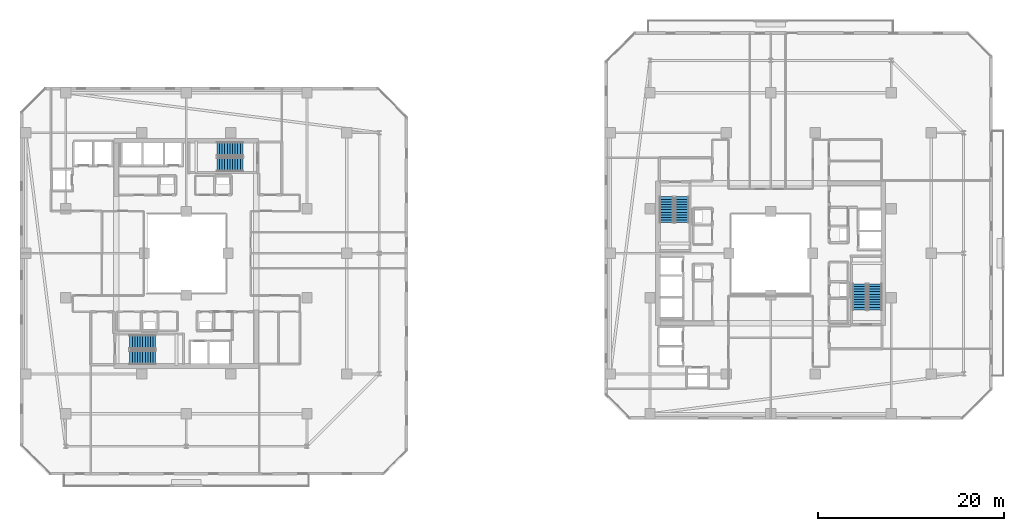
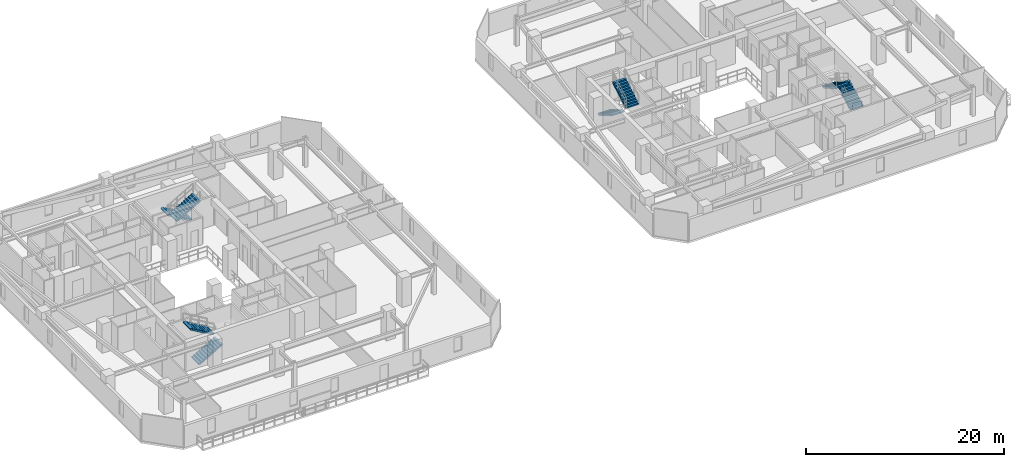
# One storey, part 27 of 33: 8 stair flights, 4 elements without a shape of their own.
"""IFC4 building model written with IfcOpenShell, lengths in metres."""

from ifc_helpers import new_model, si_unit, direction, frame, origin, place, context, subcontext, project, spatial, polyline, outline, extrude, material, type_object, element, aggregate, save


model = new_model("IFC4")

# Units and contexts
model_context = context("Model", 3, precision=1e-05, world=origin(), true_north=direction((0.0, 1.0)))
body_context = subcontext(model_context, "Body", "Model", "MODEL_VIEW")
ifc_project = project(units=[si_unit("LENGTHUNIT", "METRE"), si_unit("AREAUNIT", "SQUARE_METRE"), si_unit("VOLUMEUNIT", "CUBIC_METRE"), si_unit("PLANEANGLEUNIT", "RADIAN"), si_unit("MASSUNIT", "GRAM", prefix="KILO")], contexts=[model_context])

# Site, building, storey
site_placement = place(None, origin())
site = spatial("IfcSite", under=ifc_project, at=site_placement, CompositionType="ELEMENT")
building_placement = place(site_placement, origin())
building = spatial("IfcBuilding", under=site, at=building_placement, Name="Thornwick Lancets Civic Towers", CompositionType="ELEMENT")
storey_placement = place(building_placement, frame((0.0, 0.0, 163.5)))
storey = spatial("IfcBuildingStorey", under=building, at=storey_placement, Name="L43", CompositionType="ELEMENT", Elevation=163.5)

# Stair, stair flights
ifc_material = material(Name="Concrete C40/50", Category="concrete")
stair_type = type_object("IfcStairType", Name="STAIR_DL_3600", PredefinedType="HALF_TURN_STAIR", material=ifc_material)
stair_1_placement = place(storey_placement, origin())
stair_1 = element("IfcStair", 1, at=stair_1_placement, inside=storey, type_object=stair_type, Name="L43 Tower A South Exit Stair ST-A1", PredefinedType="HALF_TURN_STAIR")
stair_flight_type = type_object("IfcStairFlightType", Name="FLIGHT_3600", PredefinedType="STRAIGHT", material=ifc_material)
stair_flight_1_placement = place(storey_placement, frame((19.39990234375, 15.75, 0.0), z_axis=(0.0, 0.0, 1.0), x_axis=(1.0, 0.0, 0.0)))
stair_flight_1 = element("IfcStairFlight", 2, at=stair_flight_1_placement, type_object=stair_flight_type, Name="ST-A1 flight 1", NumberOfRisers=11, NumberOfTreads=10, PredefinedType="STRAIGHT", RiserHeight=0.163636364, TreadLength=0.28, context=body_context, shape_type="SweptSolid", body=[
    extrude(outline(polyline([(0.0, 0.0), (0.0, 0.16357421875), (0.280029296875, 0.16357421875), (0.280029296875, 0.327392578125), (0.56005859375, 0.327392578125), (0.56005859375, 0.490966796875), (0.840087890625, 0.490966796875), (0.840087890625, 0.654541015625), (1.1201171875, 0.654541015625), (1.1201171875, 0.818115234375), (1.39990234375, 0.818115234375), (1.39990234375, 0.98193359375), (1.679931640625, 0.98193359375), (1.679931640625, 1.1455078125), (1.9599609375, 1.1455078125), (1.9599609375, 1.30908203125), (2.239990234375, 1.30908203125), (2.239990234375, 1.47265625), (2.52001953125, 1.47265625), (2.52001953125, 1.636474609375), (2.800048828125, 1.636474609375), (2.800048828125, 1.800048828125), (2.800048828125, 1.462646484375), (0.297119140625, 0.0), (0.0, 0.0)])), frame((0.0, 0.75, 0.0), z_axis=(0.0, -1.0, 0.0), x_axis=(1.0, 0.0, 0.0)), (0.0, 0.0, 1.0), 1.5),
])
stair_flight_2_placement = place(storey_placement, frame((22.199951171875, 17.449951171875, 1.800048828125), z_axis=(0.0, 0.0, 1.0), x_axis=(-1.0, 0.0, 0.0)))
stair_flight_2 = element("IfcStairFlight", 3, at=stair_flight_2_placement, type_object=stair_flight_type, Name="ST-A1 flight 2", NumberOfRisers=11, NumberOfTreads=10, PredefinedType="STRAIGHT", RiserHeight=0.163636364, TreadLength=0.28, context=body_context, shape_type="SweptSolid", body=[
    extrude(outline(polyline([(0.0, 0.0), (0.0, 0.16357421875), (0.280029296875, 0.16357421875), (0.280029296875, 0.327392578125), (0.56005859375, 0.327392578125), (0.56005859375, 0.490966796875), (0.840087890625, 0.490966796875), (0.840087890625, 0.654541015625), (1.1201171875, 0.654541015625), (1.1201171875, 0.818115234375), (1.39990234375, 0.818115234375), (1.39990234375, 0.98193359375), (1.679931640625, 0.98193359375), (1.679931640625, 1.1455078125), (1.9599609375, 1.1455078125), (1.9599609375, 1.30908203125), (2.239990234375, 1.30908203125), (2.239990234375, 1.47265625), (2.52001953125, 1.47265625), (2.52001953125, 1.636474609375), (2.800048828125, 1.636474609375), (2.800048828125, 1.800048828125), (2.800048828125, 1.462646484375), (0.297119140625, 0.0), (0.0, 0.0)])), frame((0.0, 0.75, 0.0), z_axis=(0.0, -1.0, 0.0), x_axis=(1.0, 0.0, 0.0)), (0.0, 0.0, 1.0), 1.5),
])
aggregate(stair_1, [stair_flight_1, stair_flight_2])

stair_2_placement = place(storey_placement, origin())
stair_2 = element("IfcStair", 4, at=stair_2_placement, inside=storey, type_object=stair_type, Name="L43 Tower A North Exit Stair ST-A2", PredefinedType="HALF_TURN_STAIR")
stair_flight_3_placement = place(storey_placement, frame((31.60009765625, 38.25, 0.0), z_axis=(0.0, 0.0, 1.0), x_axis=(-1.0, 0.0, 0.0)))
stair_flight_3 = element("IfcStairFlight", 5, at=stair_flight_3_placement, type_object=stair_flight_type, Name="ST-A2 flight 1", NumberOfRisers=11, NumberOfTreads=10, PredefinedType="STRAIGHT", RiserHeight=0.163636364, TreadLength=0.28, context=body_context, shape_type="SweptSolid", body=[
    extrude(outline(polyline([(0.0, 0.0), (0.0, 0.16357421875), (0.280029296875, 0.16357421875), (0.280029296875, 0.327392578125), (0.56005859375, 0.327392578125), (0.56005859375, 0.490966796875), (0.840087890625, 0.490966796875), (0.840087890625, 0.654541015625), (1.1201171875, 0.654541015625), (1.1201171875, 0.818115234375), (1.39990234375, 0.818115234375), (1.39990234375, 0.98193359375), (1.679931640625, 0.98193359375), (1.679931640625, 1.1455078125), (1.9599609375, 1.1455078125), (1.9599609375, 1.30908203125), (2.239990234375, 1.30908203125), (2.239990234375, 1.47265625), (2.52001953125, 1.47265625), (2.52001953125, 1.636474609375), (2.800048828125, 1.636474609375), (2.800048828125, 1.800048828125), (2.800048828125, 1.462646484375), (0.297119140625, 0.0), (0.0, 0.0)])), frame((0.0, 0.75, 0.0), z_axis=(0.0, -1.0, 0.0), x_axis=(1.0, 0.0, 0.0)), (0.0, 0.0, 1.0), 1.5),
])
stair_flight_4_placement = place(storey_placement, frame((28.800048828125, 36.550048828125, 1.800048828125), z_axis=(0.0, 0.0, 1.0), x_axis=(1.0, 0.0, 0.0)))
stair_flight_4 = element("IfcStairFlight", 6, at=stair_flight_4_placement, type_object=stair_flight_type, Name="ST-A2 flight 2", NumberOfRisers=11, NumberOfTreads=10, PredefinedType="STRAIGHT", RiserHeight=0.163636364, TreadLength=0.28, context=body_context, shape_type="SweptSolid", body=[
    extrude(outline(polyline([(0.0, 0.0), (0.0, 0.16357421875), (0.280029296875, 0.16357421875), (0.280029296875, 0.327392578125), (0.56005859375, 0.327392578125), (0.56005859375, 0.490966796875), (0.840087890625, 0.490966796875), (0.840087890625, 0.654541015625), (1.1201171875, 0.654541015625), (1.1201171875, 0.818115234375), (1.39990234375, 0.818115234375), (1.39990234375, 0.98193359375), (1.679931640625, 0.98193359375), (1.679931640625, 1.1455078125), (1.9599609375, 1.1455078125), (1.9599609375, 1.30908203125), (2.239990234375, 1.30908203125), (2.239990234375, 1.47265625), (2.52001953125, 1.47265625), (2.52001953125, 1.636474609375), (2.800048828125, 1.636474609375), (2.800048828125, 1.800048828125), (2.800048828125, 1.462646484375), (0.297119140625, 0.0), (0.0, 0.0)])), frame((0.0, 0.75, 0.0), z_axis=(0.0, -1.0, 0.0), x_axis=(1.0, 0.0, 0.0)), (0.0, 0.0, 1.0), 1.5),
])
aggregate(stair_2, [stair_flight_3, stair_flight_4])

stair_3_placement = place(storey_placement, origin())
stair_3 = element("IfcStair", 7, at=stair_3_placement, inside=storey, type_object=stair_type, Name="L43 Tower B East Exit Stair ST-B1", PredefinedType="HALF_TURN_STAIR")
stair_flight_5_placement = place(storey_placement, frame((99.75, 20.89990234375, 0.0), z_axis=(0.0, 0.0, 1.0), x_axis=(0.0, 1.0, 0.0)))
stair_flight_5 = element("IfcStairFlight", 8, at=stair_flight_5_placement, type_object=stair_flight_type, Name="ST-B1 flight 1", NumberOfRisers=11, NumberOfTreads=10, PredefinedType="STRAIGHT", RiserHeight=0.163636364, TreadLength=0.28, context=body_context, shape_type="SweptSolid", body=[
    extrude(outline(polyline([(0.0, 0.0), (0.0, 0.16357421875), (0.280029296875, 0.16357421875), (0.280029296875, 0.327392578125), (0.56005859375, 0.327392578125), (0.56005859375, 0.490966796875), (0.840087890625, 0.490966796875), (0.840087890625, 0.654541015625), (1.1201171875, 0.654541015625), (1.1201171875, 0.818115234375), (1.39990234375, 0.818115234375), (1.39990234375, 0.98193359375), (1.679931640625, 0.98193359375), (1.679931640625, 1.1455078125), (1.9599609375, 1.1455078125), (1.9599609375, 1.30908203125), (2.239990234375, 1.30908203125), (2.239990234375, 1.47265625), (2.52001953125, 1.47265625), (2.52001953125, 1.636474609375), (2.800048828125, 1.636474609375), (2.800048828125, 1.800048828125), (2.800048828125, 1.462646484375), (0.297119140625, 0.0), (0.0, 0.0)])), frame((0.0, 0.75, 0.0), z_axis=(0.0, -1.0, 0.0), x_axis=(1.0, 0.0, 0.0)), (0.0, 0.0, 1.0), 1.5),
])
stair_flight_6_placement = place(storey_placement, frame((98.050048828125, 23.699951171875, 1.800048828125), z_axis=(0.0, 0.0, 1.0), x_axis=(0.0, -1.0, 0.0)))
stair_flight_6 = element("IfcStairFlight", 9, at=stair_flight_6_placement, type_object=stair_flight_type, Name="ST-B1 flight 2", NumberOfRisers=11, NumberOfTreads=10, PredefinedType="STRAIGHT", RiserHeight=0.163636364, TreadLength=0.28, context=body_context, shape_type="SweptSolid", body=[
    extrude(outline(polyline([(0.0, 0.0), (0.0, 0.16357421875), (0.280029296875, 0.16357421875), (0.280029296875, 0.327392578125), (0.56005859375, 0.327392578125), (0.56005859375, 0.490966796875), (0.840087890625, 0.490966796875), (0.840087890625, 0.654541015625), (1.1201171875, 0.654541015625), (1.1201171875, 0.818115234375), (1.39990234375, 0.818115234375), (1.39990234375, 0.98193359375), (1.679931640625, 0.98193359375), (1.679931640625, 1.1455078125), (1.9599609375, 1.1455078125), (1.9599609375, 1.30908203125), (2.239990234375, 1.30908203125), (2.239990234375, 1.47265625), (2.52001953125, 1.47265625), (2.52001953125, 1.636474609375), (2.800048828125, 1.636474609375), (2.800048828125, 1.800048828125), (2.800048828125, 1.462646484375), (0.297119140625, 0.0), (0.0, 0.0)])), frame((0.0, 0.75, 0.0), z_axis=(0.0, -1.0, 0.0), x_axis=(1.0, 0.0, 0.0)), (0.0, 0.0, 1.0), 1.5),
])
aggregate(stair_3, [stair_flight_5, stair_flight_6])

stair_4_placement = place(storey_placement, origin())
stair_4 = element("IfcStair", 10, at=stair_4_placement, inside=storey, type_object=stair_type, Name="L43 Tower B West Exit Stair ST-B2", PredefinedType="HALF_TURN_STAIR")
stair_flight_7_placement = place(storey_placement, frame((77.25, 33.10009765625, 0.0), z_axis=(0.0, 0.0, 1.0), x_axis=(0.0, -1.0, 0.0)))
stair_flight_7 = element("IfcStairFlight", 11, at=stair_flight_7_placement, type_object=stair_flight_type, Name="ST-B2 flight 1", NumberOfRisers=11, NumberOfTreads=10, PredefinedType="STRAIGHT", RiserHeight=0.163636364, TreadLength=0.28, context=body_context, shape_type="SweptSolid", body=[
    extrude(outline(polyline([(0.0, 0.0), (0.0, 0.16357421875), (0.280029296875, 0.16357421875), (0.280029296875, 0.327392578125), (0.56005859375, 0.327392578125), (0.56005859375, 0.490966796875), (0.840087890625, 0.490966796875), (0.840087890625, 0.654541015625), (1.1201171875, 0.654541015625), (1.1201171875, 0.818115234375), (1.39990234375, 0.818115234375), (1.39990234375, 0.98193359375), (1.679931640625, 0.98193359375), (1.679931640625, 1.1455078125), (1.9599609375, 1.1455078125), (1.9599609375, 1.30908203125), (2.239990234375, 1.30908203125), (2.239990234375, 1.47265625), (2.52001953125, 1.47265625), (2.52001953125, 1.636474609375), (2.800048828125, 1.636474609375), (2.800048828125, 1.800048828125), (2.800048828125, 1.462646484375), (0.297119140625, 0.0), (0.0, 0.0)])), frame((0.0, 0.75, 0.0), z_axis=(0.0, -1.0, 0.0), x_axis=(1.0, 0.0, 0.0)), (0.0, 0.0, 1.0), 1.5),
])
stair_flight_8_placement = place(storey_placement, frame((78.949951171875, 30.300048828125, 1.800048828125), z_axis=(0.0, 0.0, 1.0), x_axis=(0.0, 1.0, 0.0)))
stair_flight_8 = element("IfcStairFlight", 12, at=stair_flight_8_placement, type_object=stair_flight_type, Name="ST-B2 flight 2", NumberOfRisers=11, NumberOfTreads=10, PredefinedType="STRAIGHT", RiserHeight=0.163636364, TreadLength=0.28, context=body_context, shape_type="SweptSolid", body=[
    extrude(outline(polyline([(0.0, 0.0), (0.0, 0.16357421875), (0.280029296875, 0.16357421875), (0.280029296875, 0.327392578125), (0.56005859375, 0.327392578125), (0.56005859375, 0.490966796875), (0.840087890625, 0.490966796875), (0.840087890625, 0.654541015625), (1.1201171875, 0.654541015625), (1.1201171875, 0.818115234375), (1.39990234375, 0.818115234375), (1.39990234375, 0.98193359375), (1.679931640625, 0.98193359375), (1.679931640625, 1.1455078125), (1.9599609375, 1.1455078125), (1.9599609375, 1.30908203125), (2.239990234375, 1.30908203125), (2.239990234375, 1.47265625), (2.52001953125, 1.47265625), (2.52001953125, 1.636474609375), (2.800048828125, 1.636474609375), (2.800048828125, 1.800048828125), (2.800048828125, 1.462646484375), (0.297119140625, 0.0), (0.0, 0.0)])), frame((0.0, 0.75, 0.0), z_axis=(0.0, -1.0, 0.0), x_axis=(1.0, 0.0, 0.0)), (0.0, 0.0, 1.0), 1.5),
])
aggregate(stair_4, [stair_flight_7, stair_flight_8])

save(model, "model.ifc")
